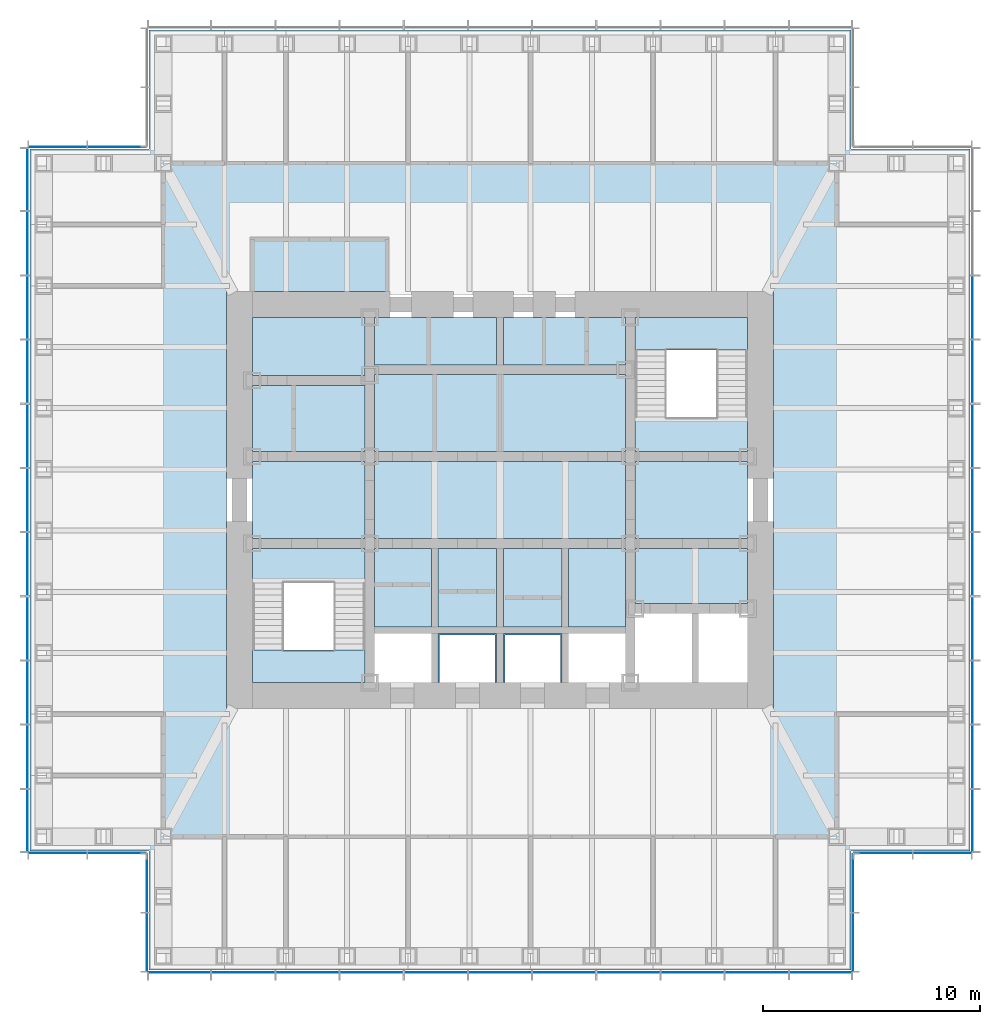
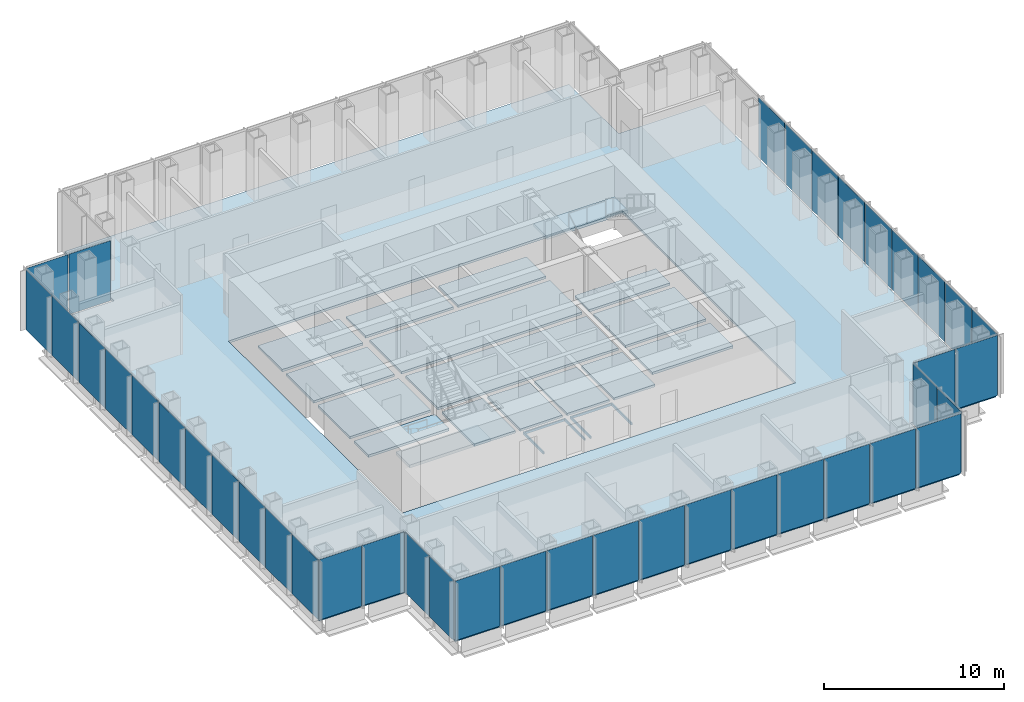
# One storey, part 7 of 17: 41 plates, 20 slabs, 10 elements without a shape of their own.
"""IFC4 building model written with IfcOpenShell, lengths in metres."""

from ifc_helpers import new_model, si_unit, direction, frame, origin, origin_2d, place, context, subcontext, project, spatial, polyline, rectangle, outline, extrude, material, layer, layer_set, type_object, element, aggregate, save


model = new_model("IFC4")

# Units and contexts
model_context = context("Model", 3, precision=1e-05, world=origin(), true_north=direction((0.0, 1.0)))
body_context = subcontext(model_context, "Body", "Model", "MODEL_VIEW")
ifc_project = project(units=[si_unit("LENGTHUNIT", "METRE"), si_unit("AREAUNIT", "SQUARE_METRE"), si_unit("VOLUMEUNIT", "CUBIC_METRE"), si_unit("PLANEANGLEUNIT", "RADIAN"), si_unit("MASSUNIT", "GRAM", prefix="KILO")], contexts=[model_context])

# Site, building, storey
site_placement = place(None, origin())
site = spatial("IfcSite", under=ifc_project, at=site_placement, CompositionType="ELEMENT")
building_placement = place(site_placement, origin())
building = spatial("IfcBuilding", under=site, at=building_placement, Name="Daluyong Arena Tower", CompositionType="ELEMENT")
storey_placement = place(building_placement, frame((0.0, 0.0, 223.300048828125)))
storey = spatial("IfcBuildingStorey", under=building, at=storey_placement, Name="L50", CompositionType="ELEMENT", Elevation=223.300048828125)

# Curtain wall, plates
ifc_material_1 = material(Name="Bronze anodised aluminium and glass", Category="aluminium")
curtain_wall_type_1 = type_object("IfcCurtainWallType", Name="Curtain wall CW3", PredefinedType="USERDEFINED", material=ifc_material_1)
curtain_wall_1_placement = place(storey_placement, origin())
curtain_wall_1 = element("IfcCurtainWall", 1, at=curtain_wall_1_placement, inside=storey, type_object=curtain_wall_type_1, Name="curtain wall L50 S", ObjectType="UNITISED CURTAIN WALL", PredefinedType="USERDEFINED")
ifc_material_2 = material(Name="Tinted double glazed unit", Category="glass")
ifc_layer_1 = layer(ifc_material_2, 0.030029296875)
ifc_layer_set_1 = layer_set([ifc_layer_1], Name="Tinted double glazed unit")
plate_type_1 = type_object("IfcPlateType", Name="CW3 panel 30", PredefinedType="CURTAIN_PANEL", material=ifc_layer_set_1)
plate_1_placement = place(storey_placement, frame((41.244873046875, 58.25, 0.0), z_axis=(0.0, 0.0, 1.0), x_axis=(1.0, 0.0, 0.0)))
plate_1 = element("IfcPlate", 2, at=plate_1_placement, type_object=plate_type_1, Name="curtain wall L50 S panel 1", PredefinedType="CURTAIN_PANEL", context=body_context, shape_type="SweptSolid", body=[
    extrude(rectangle(XDim=2.849609375, YDim=0.030029296875, at=origin_2d()), origin(), (0.0, 0.0, 1.0), 4.0400390625),
])
plate_2_placement = place(storey_placement, frame((44.181884765625, 58.25, 0.0), z_axis=(0.0, 0.0, 1.0), x_axis=(1.0, 0.0, 0.0)))
plate_2 = element("IfcPlate", 3, at=plate_2_placement, type_object=plate_type_1, Name="curtain wall L50 S panel 2", PredefinedType="CURTAIN_PANEL", context=body_context, shape_type="SweptSolid", body=[
    extrude(rectangle(XDim=2.884521484375, YDim=0.030029296875, at=origin_2d()), origin(), (0.0, 0.0, 1.0), 4.0400390625),
])
plate_3_placement = place(storey_placement, frame((47.136474609375, 58.25, 0.0), z_axis=(0.0, 0.0, 1.0), x_axis=(1.0, 0.0, 0.0)))
plate_3 = element("IfcPlate", 4, at=plate_3_placement, type_object=plate_type_1, Name="curtain wall L50 S panel 3", PredefinedType="CURTAIN_PANEL", context=body_context, shape_type="SweptSolid", body=[
    extrude(rectangle(XDim=2.884521484375, YDim=0.030029296875, at=origin_2d()), origin(), (0.0, 0.0, 1.0), 4.0400390625),
])
plate_4_placement = place(storey_placement, frame((50.0908203125, 58.25, 0.0), z_axis=(0.0, 0.0, 1.0), x_axis=(1.0, 0.0, 0.0)))
plate_4 = element("IfcPlate", 5, at=plate_4_placement, type_object=plate_type_1, Name="curtain wall L50 S panel 4", PredefinedType="CURTAIN_PANEL", context=body_context, shape_type="SweptSolid", body=[
    extrude(rectangle(XDim=2.884521484375, YDim=0.030029296875, at=origin_2d()), origin(), (0.0, 0.0, 1.0), 4.0400390625),
])
plate_5_placement = place(storey_placement, frame((53.04541015625, 58.25, 0.0), z_axis=(0.0, 0.0, 1.0), x_axis=(1.0, 0.0, 0.0)))
plate_5 = element("IfcPlate", 6, at=plate_5_placement, type_object=plate_type_1, Name="curtain wall L50 S panel 5", PredefinedType="CURTAIN_PANEL", context=body_context, shape_type="SweptSolid", body=[
    extrude(rectangle(XDim=2.884521484375, YDim=0.030029296875, at=origin_2d()), origin(), (0.0, 0.0, 1.0), 4.0400390625),
])
plate_6_placement = place(storey_placement, frame((56.0, 58.25, 0.0), z_axis=(0.0, 0.0, 1.0), x_axis=(1.0, 0.0, 0.0)))
plate_6 = element("IfcPlate", 7, at=plate_6_placement, type_object=plate_type_1, Name="curtain wall L50 S panel 6", PredefinedType="CURTAIN_PANEL", context=body_context, shape_type="SweptSolid", body=[
    extrude(rectangle(XDim=2.884521484375, YDim=0.030029296875, at=origin_2d()), origin(), (0.0, 0.0, 1.0), 4.0400390625),
])
plate_7_placement = place(storey_placement, frame((58.95458984375, 58.25, 0.0), z_axis=(0.0, 0.0, 1.0), x_axis=(1.0, 0.0, 0.0)))
plate_7 = element("IfcPlate", 8, at=plate_7_placement, type_object=plate_type_1, Name="curtain wall L50 S panel 7", PredefinedType="CURTAIN_PANEL", context=body_context, shape_type="SweptSolid", body=[
    extrude(rectangle(XDim=2.884521484375, YDim=0.030029296875, at=origin_2d()), origin(), (0.0, 0.0, 1.0), 4.0400390625),
])
plate_8_placement = place(storey_placement, frame((61.9091796875, 58.25, 0.0), z_axis=(0.0, 0.0, 1.0), x_axis=(1.0, 0.0, 0.0)))
plate_8 = element("IfcPlate", 9, at=plate_8_placement, type_object=plate_type_1, Name="curtain wall L50 S panel 8", PredefinedType="CURTAIN_PANEL", context=body_context, shape_type="SweptSolid", body=[
    extrude(rectangle(XDim=2.884521484375, YDim=0.030029296875, at=origin_2d()), origin(), (0.0, 0.0, 1.0), 4.0400390625),
])
plate_9_placement = place(storey_placement, frame((64.863525390625, 58.25, 0.0), z_axis=(0.0, 0.0, 1.0), x_axis=(1.0, 0.0, 0.0)))
plate_9 = element("IfcPlate", 10, at=plate_9_placement, type_object=plate_type_1, Name="curtain wall L50 S panel 9", PredefinedType="CURTAIN_PANEL", context=body_context, shape_type="SweptSolid", body=[
    extrude(rectangle(XDim=2.884521484375, YDim=0.030029296875, at=origin_2d()), origin(), (0.0, 0.0, 1.0), 4.0400390625),
])
plate_10_placement = place(storey_placement, frame((67.818115234375, 58.25, 0.0), z_axis=(0.0, 0.0, 1.0), x_axis=(1.0, 0.0, 0.0)))
plate_10 = element("IfcPlate", 11, at=plate_10_placement, type_object=plate_type_1, Name="curtain wall L50 S panel 10", PredefinedType="CURTAIN_PANEL", context=body_context, shape_type="SweptSolid", body=[
    extrude(rectangle(XDim=2.884521484375, YDim=0.030029296875, at=origin_2d()), origin(), (0.0, 0.0, 1.0), 4.0400390625),
])
plate_11_placement = place(storey_placement, frame((70.755126953125, 58.25, 0.0), z_axis=(0.0, 0.0, 1.0), x_axis=(1.0, 0.0, 0.0)))
plate_11 = element("IfcPlate", 12, at=plate_11_placement, type_object=plate_type_1, Name="curtain wall L50 S panel 11", PredefinedType="CURTAIN_PANEL", context=body_context, shape_type="SweptSolid", body=[
    extrude(rectangle(XDim=2.849609375, YDim=0.030029296875, at=origin_2d()), origin(), (0.0, 0.0, 1.0), 4.0400390625),
])
aggregate(curtain_wall_1, [plate_1, plate_2, plate_3, plate_4, plate_5, plate_6, plate_7, plate_8, plate_9, plate_10, plate_11])

curtain_wall_2_placement = place(storey_placement, origin())
curtain_wall_2 = element("IfcCurtainWall", 13, at=curtain_wall_2_placement, inside=storey, type_object=curtain_wall_type_1, Name="curtain wall L50 E", ObjectType="UNITISED CURTAIN WALL", PredefinedType="USERDEFINED")
plate_12_placement = place(storey_placement, frame((77.75, 65.244873046875, 0.0), z_axis=(0.0, 0.0, 1.0), x_axis=(0.0, 1.0, 0.0)))
plate_12 = element("IfcPlate", 14, at=plate_12_placement, type_object=plate_type_1, Name="curtain wall L50 E panel 1", PredefinedType="CURTAIN_PANEL", context=body_context, shape_type="SweptSolid", body=[
    extrude(rectangle(XDim=2.849609375, YDim=0.030029296875, at=origin_2d()), origin(), (0.0, 0.0, 1.0), 4.0400390625),
])
plate_13_placement = place(storey_placement, frame((77.75, 68.181884765625, 0.0), z_axis=(0.0, 0.0, 1.0), x_axis=(0.0, 1.0, 0.0)))
plate_13 = element("IfcPlate", 15, at=plate_13_placement, type_object=plate_type_1, Name="curtain wall L50 E panel 2", PredefinedType="CURTAIN_PANEL", context=body_context, shape_type="SweptSolid", body=[
    extrude(rectangle(XDim=2.884521484375, YDim=0.030029296875, at=origin_2d()), origin(), (0.0, 0.0, 1.0), 4.0400390625),
])
plate_14_placement = place(storey_placement, frame((77.75, 71.136474609375, 0.0), z_axis=(0.0, 0.0, 1.0), x_axis=(0.0, 1.0, 0.0)))
plate_14 = element("IfcPlate", 16, at=plate_14_placement, type_object=plate_type_1, Name="curtain wall L50 E panel 3", PredefinedType="CURTAIN_PANEL", context=body_context, shape_type="SweptSolid", body=[
    extrude(rectangle(XDim=2.884521484375, YDim=0.030029296875, at=origin_2d()), origin(), (0.0, 0.0, 1.0), 4.0400390625),
])
plate_15_placement = place(storey_placement, frame((77.75, 74.0908203125, 0.0), z_axis=(0.0, 0.0, 1.0), x_axis=(0.0, 1.0, 0.0)))
plate_15 = element("IfcPlate", 17, at=plate_15_placement, type_object=plate_type_1, Name="curtain wall L50 E panel 4", PredefinedType="CURTAIN_PANEL", context=body_context, shape_type="SweptSolid", body=[
    extrude(rectangle(XDim=2.884521484375, YDim=0.030029296875, at=origin_2d()), origin(), (0.0, 0.0, 1.0), 4.0400390625),
])
plate_16_placement = place(storey_placement, frame((77.75, 77.04541015625, 0.0), z_axis=(0.0, 0.0, 1.0), x_axis=(0.0, 1.0, 0.0)))
plate_16 = element("IfcPlate", 18, at=plate_16_placement, type_object=plate_type_1, Name="curtain wall L50 E panel 5", PredefinedType="CURTAIN_PANEL", context=body_context, shape_type="SweptSolid", body=[
    extrude(rectangle(XDim=2.884521484375, YDim=0.030029296875, at=origin_2d()), origin(), (0.0, 0.0, 1.0), 4.0400390625),
])
plate_17_placement = place(storey_placement, frame((77.75, 80.0, 0.0), z_axis=(0.0, 0.0, 1.0), x_axis=(0.0, 1.0, 0.0)))
plate_17 = element("IfcPlate", 19, at=plate_17_placement, type_object=plate_type_1, Name="curtain wall L50 E panel 6", PredefinedType="CURTAIN_PANEL", context=body_context, shape_type="SweptSolid", body=[
    extrude(rectangle(XDim=2.884521484375, YDim=0.030029296875, at=origin_2d()), origin(), (0.0, 0.0, 1.0), 4.0400390625),
])
plate_18_placement = place(storey_placement, frame((77.75, 82.95458984375, 0.0), z_axis=(0.0, 0.0, 1.0), x_axis=(0.0, 1.0, 0.0)))
plate_18 = element("IfcPlate", 20, at=plate_18_placement, type_object=plate_type_1, Name="curtain wall L50 E panel 7", PredefinedType="CURTAIN_PANEL", context=body_context, shape_type="SweptSolid", body=[
    extrude(rectangle(XDim=2.884521484375, YDim=0.030029296875, at=origin_2d()), origin(), (0.0, 0.0, 1.0), 4.0400390625),
])
plate_19_placement = place(storey_placement, frame((77.75, 85.9091796875, 0.0), z_axis=(0.0, 0.0, 1.0), x_axis=(0.0, 1.0, 0.0)))
plate_19 = element("IfcPlate", 21, at=plate_19_placement, type_object=plate_type_1, Name="curtain wall L50 E panel 8", PredefinedType="CURTAIN_PANEL", context=body_context, shape_type="SweptSolid", body=[
    extrude(rectangle(XDim=2.884521484375, YDim=0.030029296875, at=origin_2d()), origin(), (0.0, 0.0, 1.0), 4.0400390625),
])
plate_20_placement = place(storey_placement, frame((77.75, 88.863525390625, 0.0), z_axis=(0.0, 0.0, 1.0), x_axis=(0.0, 1.0, 0.0)))
plate_20 = element("IfcPlate", 22, at=plate_20_placement, type_object=plate_type_1, Name="curtain wall L50 E panel 9", PredefinedType="CURTAIN_PANEL", context=body_context, shape_type="SweptSolid", body=[
    extrude(rectangle(XDim=2.884521484375, YDim=0.030029296875, at=origin_2d()), origin(), (0.0, 0.0, 1.0), 4.0400390625),
])
aggregate(curtain_wall_2, [plate_12, plate_13, plate_14, plate_15, plate_16, plate_17, plate_18, plate_19, plate_20])

curtain_wall_3_placement = place(storey_placement, origin())
curtain_wall_3 = element("IfcCurtainWall", 23, at=curtain_wall_3_placement, inside=storey, type_object=curtain_wall_type_1, Name="curtain wall L50 W", ObjectType="UNITISED CURTAIN WALL", PredefinedType="USERDEFINED")
plate_21_placement = place(storey_placement, frame((34.25, 94.755126953125, 0.0), z_axis=(0.0, 0.0, 1.0), x_axis=(0.0, -1.0, 0.0)))
plate_21 = element("IfcPlate", 24, at=plate_21_placement, type_object=plate_type_1, Name="curtain wall L50 W panel 1", PredefinedType="CURTAIN_PANEL", context=body_context, shape_type="SweptSolid", body=[
    extrude(rectangle(XDim=2.849609375, YDim=0.030029296875, at=origin_2d()), origin(), (0.0, 0.0, 1.0), 4.0400390625),
])
plate_22_placement = place(storey_placement, frame((34.25, 91.818115234375, 0.0), z_axis=(0.0, 0.0, 1.0), x_axis=(0.0, -1.0, 0.0)))
plate_22 = element("IfcPlate", 25, at=plate_22_placement, type_object=plate_type_1, Name="curtain wall L50 W panel 2", PredefinedType="CURTAIN_PANEL", context=body_context, shape_type="SweptSolid", body=[
    extrude(rectangle(XDim=2.884521484375, YDim=0.030029296875, at=origin_2d()), origin(), (0.0, 0.0, 1.0), 4.0400390625),
])
plate_23_placement = place(storey_placement, frame((34.25, 88.863525390625, 0.0), z_axis=(0.0, 0.0, 1.0), x_axis=(0.0, -1.0, 0.0)))
plate_23 = element("IfcPlate", 26, at=plate_23_placement, type_object=plate_type_1, Name="curtain wall L50 W panel 3", PredefinedType="CURTAIN_PANEL", context=body_context, shape_type="SweptSolid", body=[
    extrude(rectangle(XDim=2.884521484375, YDim=0.030029296875, at=origin_2d()), origin(), (0.0, 0.0, 1.0), 4.0400390625),
])
plate_24_placement = place(storey_placement, frame((34.25, 85.9091796875, 0.0), z_axis=(0.0, 0.0, 1.0), x_axis=(0.0, -1.0, 0.0)))
plate_24 = element("IfcPlate", 27, at=plate_24_placement, type_object=plate_type_1, Name="curtain wall L50 W panel 4", PredefinedType="CURTAIN_PANEL", context=body_context, shape_type="SweptSolid", body=[
    extrude(rectangle(XDim=2.884521484375, YDim=0.030029296875, at=origin_2d()), origin(), (0.0, 0.0, 1.0), 4.0400390625),
])
plate_25_placement = place(storey_placement, frame((34.25, 82.95458984375, 0.0), z_axis=(0.0, 0.0, 1.0), x_axis=(0.0, -1.0, 0.0)))
plate_25 = element("IfcPlate", 28, at=plate_25_placement, type_object=plate_type_1, Name="curtain wall L50 W panel 5", PredefinedType="CURTAIN_PANEL", context=body_context, shape_type="SweptSolid", body=[
    extrude(rectangle(XDim=2.884521484375, YDim=0.030029296875, at=origin_2d()), origin(), (0.0, 0.0, 1.0), 4.0400390625),
])
plate_26_placement = place(storey_placement, frame((34.25, 80.0, 0.0), z_axis=(0.0, 0.0, 1.0), x_axis=(0.0, -1.0, 0.0)))
plate_26 = element("IfcPlate", 29, at=plate_26_placement, type_object=plate_type_1, Name="curtain wall L50 W panel 6", PredefinedType="CURTAIN_PANEL", context=body_context, shape_type="SweptSolid", body=[
    extrude(rectangle(XDim=2.884521484375, YDim=0.030029296875, at=origin_2d()), origin(), (0.0, 0.0, 1.0), 4.0400390625),
])
plate_27_placement = place(storey_placement, frame((34.25, 77.04541015625, 0.0), z_axis=(0.0, 0.0, 1.0), x_axis=(0.0, -1.0, 0.0)))
plate_27 = element("IfcPlate", 30, at=plate_27_placement, type_object=plate_type_1, Name="curtain wall L50 W panel 7", PredefinedType="CURTAIN_PANEL", context=body_context, shape_type="SweptSolid", body=[
    extrude(rectangle(XDim=2.884521484375, YDim=0.030029296875, at=origin_2d()), origin(), (0.0, 0.0, 1.0), 4.0400390625),
])
plate_28_placement = place(storey_placement, frame((34.25, 74.0908203125, 0.0), z_axis=(0.0, 0.0, 1.0), x_axis=(0.0, -1.0, 0.0)))
plate_28 = element("IfcPlate", 31, at=plate_28_placement, type_object=plate_type_1, Name="curtain wall L50 W panel 8", PredefinedType="CURTAIN_PANEL", context=body_context, shape_type="SweptSolid", body=[
    extrude(rectangle(XDim=2.884521484375, YDim=0.030029296875, at=origin_2d()), origin(), (0.0, 0.0, 1.0), 4.0400390625),
])
plate_29_placement = place(storey_placement, frame((34.25, 71.136474609375, 0.0), z_axis=(0.0, 0.0, 1.0), x_axis=(0.0, -1.0, 0.0)))
plate_29 = element("IfcPlate", 32, at=plate_29_placement, type_object=plate_type_1, Name="curtain wall L50 W panel 9", PredefinedType="CURTAIN_PANEL", context=body_context, shape_type="SweptSolid", body=[
    extrude(rectangle(XDim=2.884521484375, YDim=0.030029296875, at=origin_2d()), origin(), (0.0, 0.0, 1.0), 4.0400390625),
])
plate_30_placement = place(storey_placement, frame((34.25, 68.181884765625, 0.0), z_axis=(0.0, 0.0, 1.0), x_axis=(0.0, -1.0, 0.0)))
plate_30 = element("IfcPlate", 33, at=plate_30_placement, type_object=plate_type_1, Name="curtain wall L50 W panel 10", PredefinedType="CURTAIN_PANEL", context=body_context, shape_type="SweptSolid", body=[
    extrude(rectangle(XDim=2.884521484375, YDim=0.030029296875, at=origin_2d()), origin(), (0.0, 0.0, 1.0), 4.0400390625),
])
plate_31_placement = place(storey_placement, frame((34.25, 65.244873046875, 0.0), z_axis=(0.0, 0.0, 1.0), x_axis=(0.0, -1.0, 0.0)))
plate_31 = element("IfcPlate", 34, at=plate_31_placement, type_object=plate_type_1, Name="curtain wall L50 W panel 11", PredefinedType="CURTAIN_PANEL", context=body_context, shape_type="SweptSolid", body=[
    extrude(rectangle(XDim=2.849609375, YDim=0.030029296875, at=origin_2d()), origin(), (0.0, 0.0, 1.0), 4.0400390625),
])
aggregate(curtain_wall_3, [plate_21, plate_22, plate_23, plate_24, plate_25, plate_26, plate_27, plate_28, plate_29, plate_30, plate_31])

ifc_material_3 = material(Name="Bronze anodised aluminium and glass", Category="aluminium")
curtain_wall_type_2 = type_object("IfcCurtainWallType", Name="Curtain wall CW7", PredefinedType="USERDEFINED", material=ifc_material_3)
curtain_wall_4_placement = place(storey_placement, origin())
curtain_wall_4 = element("IfcCurtainWall", 35, at=curtain_wall_4_placement, inside=storey, type_object=curtain_wall_type_2, Name="curtain wall L50 SE-E", ObjectType="UNITISED CURTAIN WALL", PredefinedType="USERDEFINED")
ifc_material_4 = material(Name="Tinted double glazed unit", Category="glass")
ifc_layer_2 = layer(ifc_material_4, 0.028076171875)
ifc_layer_set_2 = layer_set([ifc_layer_2], Name="Tinted double glazed unit")
plate_type_2 = type_object("IfcPlateType", Name="CW7 panel 28", PredefinedType="CURTAIN_PANEL", material=ifc_layer_set_2)
plate_32_placement = place(storey_placement, frame((72.25, 59.639892578125, 0.0), z_axis=(0.0, 0.0, 1.0), x_axis=(0.0, 1.0, 0.0)))
plate_32 = element("IfcPlate", 36, at=plate_32_placement, type_object=plate_type_2, Name="curtain wall L50 SE-E panel 1", PredefinedType="CURTAIN_PANEL", context=body_context, shape_type="SweptSolid", body=[
    extrude(rectangle(XDim=2.659912109375, YDim=0.028076171875, at=origin_2d()), origin(), (0.0, 0.0, 1.0), 4.080078125),
])
plate_33_placement = place(storey_placement, frame((72.25, 62.360107421875, 0.0), z_axis=(0.0, 0.0, 1.0), x_axis=(0.0, 1.0, 0.0)))
plate_33 = element("IfcPlate", 37, at=plate_33_placement, type_object=plate_type_2, Name="curtain wall L50 SE-E panel 2", PredefinedType="CURTAIN_PANEL", context=body_context, shape_type="SweptSolid", body=[
    extrude(rectangle(XDim=2.659912109375, YDim=0.028076171875, at=origin_2d()), origin(), (0.0, 0.0, 1.0), 4.080078125),
])
aggregate(curtain_wall_4, [plate_32, plate_33])

curtain_wall_5_placement = place(storey_placement, origin())
curtain_wall_5 = element("IfcCurtainWall", 38, at=curtain_wall_5_placement, inside=storey, type_object=curtain_wall_type_2, Name="curtain wall L50 SE-S", ObjectType="UNITISED CURTAIN WALL", PredefinedType="USERDEFINED")
plate_34_placement = place(storey_placement, frame((73.639892578125, 63.75, 0.0), z_axis=(0.0, 0.0, 1.0), x_axis=(1.0, 0.0, 0.0)))
plate_34 = element("IfcPlate", 39, at=plate_34_placement, type_object=plate_type_2, Name="curtain wall L50 SE-S panel 1", PredefinedType="CURTAIN_PANEL", context=body_context, shape_type="SweptSolid", body=[
    extrude(rectangle(XDim=2.659912109375, YDim=0.028076171875, at=origin_2d()), origin(), (0.0, 0.0, 1.0), 4.080078125),
])
plate_35_placement = place(storey_placement, frame((76.360107421875, 63.75, 0.0), z_axis=(0.0, 0.0, 1.0), x_axis=(1.0, 0.0, 0.0)))
plate_35 = element("IfcPlate", 40, at=plate_35_placement, type_object=plate_type_2, Name="curtain wall L50 SE-S panel 2", PredefinedType="CURTAIN_PANEL", context=body_context, shape_type="SweptSolid", body=[
    extrude(rectangle(XDim=2.659912109375, YDim=0.028076171875, at=origin_2d()), origin(), (0.0, 0.0, 1.0), 4.080078125),
])
aggregate(curtain_wall_5, [plate_34, plate_35])

curtain_wall_6_placement = place(storey_placement, origin())
curtain_wall_6 = element("IfcCurtainWall", 41, at=curtain_wall_6_placement, inside=storey, type_object=curtain_wall_type_2, Name="curtain wall L50 NW-N", ObjectType="UNITISED CURTAIN WALL", PredefinedType="USERDEFINED")
plate_36_placement = place(storey_placement, frame((38.360107421875, 96.25, 0.0), z_axis=(0.0, 0.0, 1.0), x_axis=(-1.0, 0.0, 0.0)))
plate_36 = element("IfcPlate", 42, at=plate_36_placement, type_object=plate_type_2, Name="curtain wall L50 NW-N panel 1", PredefinedType="CURTAIN_PANEL", context=body_context, shape_type="SweptSolid", body=[
    extrude(rectangle(XDim=2.659912109375, YDim=0.028076171875, at=origin_2d()), origin(), (0.0, 0.0, 1.0), 4.080078125),
])
plate_37_placement = place(storey_placement, frame((35.639892578125, 96.25, 0.0), z_axis=(0.0, 0.0, 1.0), x_axis=(-1.0, 0.0, 0.0)))
plate_37 = element("IfcPlate", 43, at=plate_37_placement, type_object=plate_type_2, Name="curtain wall L50 NW-N panel 2", PredefinedType="CURTAIN_PANEL", context=body_context, shape_type="SweptSolid", body=[
    extrude(rectangle(XDim=2.659912109375, YDim=0.028076171875, at=origin_2d()), origin(), (0.0, 0.0, 1.0), 4.080078125),
])
aggregate(curtain_wall_6, [plate_36, plate_37])

curtain_wall_7_placement = place(storey_placement, origin())
curtain_wall_7 = element("IfcCurtainWall", 44, at=curtain_wall_7_placement, inside=storey, type_object=curtain_wall_type_2, Name="curtain wall L50 SW-S", ObjectType="UNITISED CURTAIN WALL", PredefinedType="USERDEFINED")
plate_38_placement = place(storey_placement, frame((35.639892578125, 63.75, 0.0), z_axis=(0.0, 0.0, 1.0), x_axis=(1.0, 0.0, 0.0)))
plate_38 = element("IfcPlate", 45, at=plate_38_placement, type_object=plate_type_2, Name="curtain wall L50 SW-S panel 1", PredefinedType="CURTAIN_PANEL", context=body_context, shape_type="SweptSolid", body=[
    extrude(rectangle(XDim=2.659912109375, YDim=0.028076171875, at=origin_2d()), origin(), (0.0, 0.0, 1.0), 4.080078125),
])
plate_39_placement = place(storey_placement, frame((38.360107421875, 63.75, 0.0), z_axis=(0.0, 0.0, 1.0), x_axis=(1.0, 0.0, 0.0)))
plate_39 = element("IfcPlate", 46, at=plate_39_placement, type_object=plate_type_2, Name="curtain wall L50 SW-S panel 2", PredefinedType="CURTAIN_PANEL", context=body_context, shape_type="SweptSolid", body=[
    extrude(rectangle(XDim=2.659912109375, YDim=0.028076171875, at=origin_2d()), origin(), (0.0, 0.0, 1.0), 4.080078125),
])
aggregate(curtain_wall_7, [plate_38, plate_39])

curtain_wall_8_placement = place(storey_placement, origin())
curtain_wall_8 = element("IfcCurtainWall", 47, at=curtain_wall_8_placement, inside=storey, type_object=curtain_wall_type_2, Name="curtain wall L50 SW-W", ObjectType="UNITISED CURTAIN WALL", PredefinedType="USERDEFINED")
plate_40_placement = place(storey_placement, frame((39.75, 62.360107421875, 0.0), z_axis=(0.0, 0.0, 1.0), x_axis=(0.0, -1.0, 0.0)))
plate_40 = element("IfcPlate", 48, at=plate_40_placement, type_object=plate_type_2, Name="curtain wall L50 SW-W panel 1", PredefinedType="CURTAIN_PANEL", context=body_context, shape_type="SweptSolid", body=[
    extrude(rectangle(XDim=2.659912109375, YDim=0.028076171875, at=origin_2d()), origin(), (0.0, 0.0, 1.0), 4.080078125),
])
plate_41_placement = place(storey_placement, frame((39.75, 59.639892578125, 0.0), z_axis=(0.0, 0.0, 1.0), x_axis=(0.0, -1.0, 0.0)))
plate_41 = element("IfcPlate", 49, at=plate_41_placement, type_object=plate_type_2, Name="curtain wall L50 SW-W panel 2", PredefinedType="CURTAIN_PANEL", context=body_context, shape_type="SweptSolid", body=[
    extrude(rectangle(XDim=2.659912109375, YDim=0.028076171875, at=origin_2d()), origin(), (0.0, 0.0, 1.0), 4.080078125),
])
aggregate(curtain_wall_8, [plate_40, plate_41])

# Stair, slab
ifc_material_5 = material(Name="Concrete fc' 35 MPa", Category="concrete")
stair_type = type_object("IfcStairType", Name="Core exit stair", PredefinedType="HALF_TURN_STAIR", material=ifc_material_5)
stair_1_placement = place(storey_placement, origin())
stair_1 = element("IfcStair", 50, at=stair_1_placement, inside=storey, type_object=stair_type, Name="exit stair A L50", PredefinedType="HALF_TURN_STAIR")
ifc_material_6 = material(Name="Concrete fc' 35 MPa", Category="concrete")
ifc_layer_3 = layer(ifc_material_6, 0.199951171875)
ifc_layer_set_3 = layer_set([ifc_layer_3], Name="Concrete fc' 35 MPa")
slab_type_1 = type_object("IfcSlabType", Name="Stair landing 200", PredefinedType="LANDING", material=ifc_layer_set_3)
slab_1_placement = place(storey_placement, frame((0.0, 0.0, 1.89990234375)))
slab_1 = element("IfcSlab", 51, at=slab_1_placement, type_object=slab_type_1, Name="STA landing 1", PredefinedType="LANDING", context=body_context, shape_type="SweptSolid", body=[
    extrude(outline(polyline([(44.60009765625, 71.60009765625), (49.77490234375, 71.60009765625), (49.77490234375, 73.094970703125), (44.60009765625, 73.094970703125), (44.60009765625, 71.60009765625)])), origin(), (0.0, 0.0, 1.0), 0.199951171875),
])
aggregate(stair_1, [slab_1])

stair_2_placement = place(storey_placement, origin())
stair_2 = element("IfcStair", 52, at=stair_2_placement, inside=storey, type_object=stair_type, Name="exit stair B L50", PredefinedType="HALF_TURN_STAIR")
slab_2_placement = place(storey_placement, frame((0.0, 0.0, 1.89990234375)))
slab_2 = element("IfcSlab", 53, at=slab_2_placement, type_object=slab_type_1, Name="STB landing 1", PredefinedType="LANDING", context=body_context, shape_type="SweptSolid", body=[
    extrude(outline(polyline([(62.22509765625, 86.905029296875), (67.39990234375, 86.905029296875), (67.39990234375, 88.39990234375), (62.22509765625, 88.39990234375), (62.22509765625, 86.905029296875)])), origin(), (0.0, 0.0, 1.0), 0.199951171875),
])
aggregate(stair_2, [slab_2])

# Slabs
ifc_material_7 = material(Name="Concrete fc' 35 MPa", Category="concrete")
ifc_layer_4 = layer(ifc_material_7, 0.159912109375)
ifc_layer_set_4 = layer_set([ifc_layer_4], Name="Concrete fc' 35 MPa")
slab_type_2 = type_object("IfcSlabType", Name="Tower floor slab 160", PredefinedType="FLOOR", material=ifc_layer_set_4)
slab_3_placement = place(storey_placement, frame((0.0, 0.0, -0.16015625)))
element("IfcSlab", 54, at=slab_3_placement, inside=storey, type_object=slab_type_2, Name="floor L50 part 1", PredefinedType="FLOOR", context=body_context, shape_type="SweptSolid", body=[
    extrude(outline(polyline([(49.77490234375, 77.77490234375), (44.60009765625, 77.77490234375), (44.60009765625, 76.175048828125), (49.77490234375, 76.175048828125), (49.77490234375, 77.77490234375)])), origin(), (0.0, 0.0, 1.0), 0.16015625),
])
slab_4_placement = place(storey_placement, frame((0.0, 0.0, -0.16015625)))
element("IfcSlab", 55, at=slab_4_placement, inside=storey, type_object=slab_type_2, Name="floor L50 part 2", PredefinedType="FLOOR", context=body_context, shape_type="SweptSolid", body=[
    extrude(outline(polyline([(49.77490234375, 78.22509765625), (49.77490234375, 81.77490234375), (44.60009765625, 81.77490234375), (44.60009765625, 78.22509765625), (49.77490234375, 78.22509765625)])), origin(), (0.0, 0.0, 1.0), 0.16015625),
])
slab_5_placement = place(storey_placement, frame((0.0, 0.0, -0.16015625)))
element("IfcSlab", 56, at=slab_5_placement, inside=storey, type_object=slab_type_2, Name="floor L50 part 3", PredefinedType="FLOOR", context=body_context, shape_type="SweptSolid", body=[
    extrude(outline(polyline([(44.60009765625, 85.27490234375), (44.60009765625, 82.22509765625), (49.77490234375, 82.22509765625), (49.77490234375, 85.27490234375), (44.60009765625, 85.27490234375)])), origin(), (0.0, 0.0, 1.0), 0.16015625),
])
slab_6_placement = place(storey_placement, frame((0.0, 0.0, -0.16015625)))
element("IfcSlab", 57, at=slab_6_placement, inside=storey, type_object=slab_type_2, Name="floor L50 part 4", PredefinedType="FLOOR", context=body_context, shape_type="SweptSolid", body=[
    extrude(outline(polyline([(44.60009765625, 88.39990234375), (44.60009765625, 85.72509765625), (49.77490234375, 85.72509765625), (49.77490234375, 88.39990234375), (44.60009765625, 88.39990234375)])), origin(), (0.0, 0.0, 1.0), 0.16015625),
])
slab_7_placement = place(storey_placement, frame((0.0, 0.0, -0.16015625)))
element("IfcSlab", 58, at=slab_7_placement, inside=storey, type_object=slab_type_2, Name="floor L50 part 5", PredefinedType="FLOOR", context=body_context, shape_type="SweptSolid", body=[
    extrude(outline(polyline([(52.85009765625, 74.14990234375), (52.85009765625, 77.77490234375), (50.22509765625, 77.77490234375), (50.22509765625, 74.14990234375), (52.85009765625, 74.14990234375)])), origin(), (0.0, 0.0, 1.0), 0.16015625),
])
slab_8_placement = place(storey_placement, frame((0.0, 0.0, -0.16015625)))
element("IfcSlab", 59, at=slab_8_placement, inside=storey, type_object=slab_type_2, Name="floor L50 part 6", PredefinedType="FLOOR", context=body_context, shape_type="SweptSolid", body=[
    extrude(outline(polyline([(50.22509765625, 88.39990234375), (50.22509765625, 86.22509765625), (55.85009765625, 86.22509765625), (55.85009765625, 88.39990234375), (50.22509765625, 88.39990234375)])), origin(), (0.0, 0.0, 1.0), 0.16015625),
])
slab_9_placement = place(storey_placement, frame((0.0, 0.0, -0.16015625)))
element("IfcSlab", 60, at=slab_9_placement, inside=storey, type_object=slab_type_2, Name="floor L50 part 7", PredefinedType="FLOOR", context=body_context, shape_type="SweptSolid", body=[
    extrude(outline(polyline([(53.22509765625, 71.60009765625), (53.22509765625, 73.77490234375), (55.77490234375, 73.77490234375), (55.77490234375, 71.60009765625), (55.85009765625, 71.60009765625), (55.85009765625, 73.85009765625), (53.14990234375, 73.85009765625), (53.14990234375, 71.60009765625), (53.22509765625, 71.60009765625)])), origin(), (0.0, 0.0, 1.0), 0.16015625),
])
slab_10_placement = place(storey_placement, frame((0.0, 0.0, -0.16015625)))
element("IfcSlab", 61, at=slab_10_placement, inside=storey, type_object=slab_type_2, Name="floor L50 part 8", PredefinedType="FLOOR", context=body_context, shape_type="SweptSolid", body=[
    extrude(outline(polyline([(53.14990234375, 74.14990234375), (55.85009765625, 74.14990234375), (55.85009765625, 77.77490234375), (53.14990234375, 77.77490234375), (53.14990234375, 74.14990234375)])), origin(), (0.0, 0.0, 1.0), 0.16015625),
])
slab_11_placement = place(storey_placement, frame((0.0, 0.0, -0.16015625)))
element("IfcSlab", 62, at=slab_11_placement, inside=storey, type_object=slab_type_2, Name="floor L50 part 9", PredefinedType="FLOOR", context=body_context, shape_type="SweptSolid", body=[
    extrude(outline(polyline([(39.85009765625, 63.85009765625), (39.85009765625, 58.35009765625), (72.14990234375, 58.35009765625), (72.14990234375, 63.85009765625), (77.64990234375, 63.85009765625), (77.64990234375, 96.14990234375), (72.14990234375, 96.14990234375), (72.14990234375, 101.64990234375), (39.85009765625, 101.64990234375), (39.85009765625, 96.14990234375), (34.35009765625, 96.14990234375), (34.35009765625, 63.85009765625), (39.85009765625, 63.85009765625)]), holes=[polyline([(68.60009765625, 89.60009765625), (68.60009765625, 70.39990234375), (43.39990234375, 70.39990234375), (43.39990234375, 89.60009765625), (68.60009765625, 89.60009765625)])]), origin(), (0.0, 0.0, 1.0), 0.16015625),
])
slab_12_placement = place(storey_placement, frame((0.0, 0.0, -0.16015625)))
element("IfcSlab", 63, at=slab_12_placement, inside=storey, type_object=slab_type_2, Name="floor L50 part 10", PredefinedType="FLOOR", context=body_context, shape_type="SweptSolid", body=[
    extrude(outline(polyline([(50.22509765625, 81.77490234375), (50.22509765625, 78.22509765625), (61.77490234375, 78.22509765625), (61.77490234375, 81.77490234375), (50.22509765625, 81.77490234375)])), origin(), (0.0, 0.0, 1.0), 0.16015625),
])
slab_13_placement = place(storey_placement, frame((0.0, 0.0, -0.16015625)))
element("IfcSlab", 64, at=slab_13_placement, inside=storey, type_object=slab_type_2, Name="floor L50 part 11", PredefinedType="FLOOR", context=body_context, shape_type="SweptSolid", body=[
    extrude(outline(polyline([(50.22509765625, 85.77490234375), (50.22509765625, 82.22509765625), (61.77490234375, 82.22509765625), (61.77490234375, 85.77490234375), (50.22509765625, 85.77490234375)])), origin(), (0.0, 0.0, 1.0), 0.16015625),
])
slab_14_placement = place(storey_placement, frame((0.0, 0.0, -0.16015625)))
element("IfcSlab", 65, at=slab_14_placement, inside=storey, type_object=slab_type_2, Name="floor L50 part 12", PredefinedType="FLOOR", context=body_context, shape_type="SweptSolid", body=[
    extrude(outline(polyline([(56.22509765625, 71.60009765625), (56.22509765625, 73.77490234375), (58.77490234375, 73.77490234375), (58.77490234375, 71.60009765625), (58.85009765625, 71.60009765625), (58.85009765625, 73.85009765625), (56.14990234375, 73.85009765625), (56.14990234375, 71.60009765625), (56.22509765625, 71.60009765625)])), origin(), (0.0, 0.0, 1.0), 0.16015625),
])
slab_15_placement = place(storey_placement, frame((0.0, 0.0, -0.16015625)))
element("IfcSlab", 66, at=slab_15_placement, inside=storey, type_object=slab_type_2, Name="floor L50 part 13", PredefinedType="FLOOR", context=body_context, shape_type="SweptSolid", body=[
    extrude(outline(polyline([(58.85009765625, 77.77490234375), (56.14990234375, 77.77490234375), (56.14990234375, 74.14990234375), (58.85009765625, 74.14990234375), (58.85009765625, 77.77490234375)])), origin(), (0.0, 0.0, 1.0), 0.16015625),
])
slab_16_placement = place(storey_placement, frame((0.0, 0.0, -0.16015625)))
element("IfcSlab", 67, at=slab_16_placement, inside=storey, type_object=slab_type_2, Name="floor L50 part 14", PredefinedType="FLOOR", context=body_context, shape_type="SweptSolid", body=[
    extrude(outline(polyline([(56.14990234375, 88.39990234375), (56.14990234375, 86.22509765625), (61.77490234375, 86.22509765625), (61.77490234375, 88.39990234375), (56.14990234375, 88.39990234375)])), origin(), (0.0, 0.0, 1.0), 0.16015625),
])
slab_17_placement = place(storey_placement, frame((0.0, 0.0, -0.16015625)))
element("IfcSlab", 68, at=slab_17_placement, inside=storey, type_object=slab_type_2, Name="floor L50 part 15", PredefinedType="FLOOR", context=body_context, shape_type="SweptSolid", body=[
    extrude(outline(polyline([(61.77490234375, 77.77490234375), (59.14990234375, 77.77490234375), (59.14990234375, 74.14990234375), (61.77490234375, 74.14990234375), (61.77490234375, 77.77490234375)])), origin(), (0.0, 0.0, 1.0), 0.16015625),
])
slab_18_placement = place(storey_placement, frame((0.0, 0.0, -0.16015625)))
element("IfcSlab", 69, at=slab_18_placement, inside=storey, type_object=slab_type_2, Name="floor L50 part 16", PredefinedType="FLOOR", context=body_context, shape_type="SweptSolid", body=[
    extrude(outline(polyline([(67.39990234375, 75.22509765625), (67.39990234375, 77.77490234375), (62.22509765625, 77.77490234375), (62.22509765625, 75.22509765625), (67.39990234375, 75.22509765625)])), origin(), (0.0, 0.0, 1.0), 0.16015625),
])
slab_19_placement = place(storey_placement, frame((0.0, 0.0, -0.16015625)))
element("IfcSlab", 70, at=slab_19_placement, inside=storey, type_object=slab_type_2, Name="floor L50 part 17", PredefinedType="FLOOR", context=body_context, shape_type="SweptSolid", body=[
    extrude(outline(polyline([(67.39990234375, 78.22509765625), (67.39990234375, 81.77490234375), (62.22509765625, 81.77490234375), (62.22509765625, 78.22509765625), (67.39990234375, 78.22509765625)])), origin(), (0.0, 0.0, 1.0), 0.16015625),
])
slab_20_placement = place(storey_placement, frame((0.0, 0.0, -0.16015625)))
element("IfcSlab", 71, at=slab_20_placement, inside=storey, type_object=slab_type_2, Name="floor L50 part 18", PredefinedType="FLOOR", context=body_context, shape_type="SweptSolid", body=[
    extrude(outline(polyline([(67.39990234375, 83.824951171875), (62.22509765625, 83.824951171875), (62.22509765625, 82.22509765625), (67.39990234375, 82.22509765625), (67.39990234375, 83.824951171875)])), origin(), (0.0, 0.0, 1.0), 0.16015625),
])

save(model, "model.ifc")
